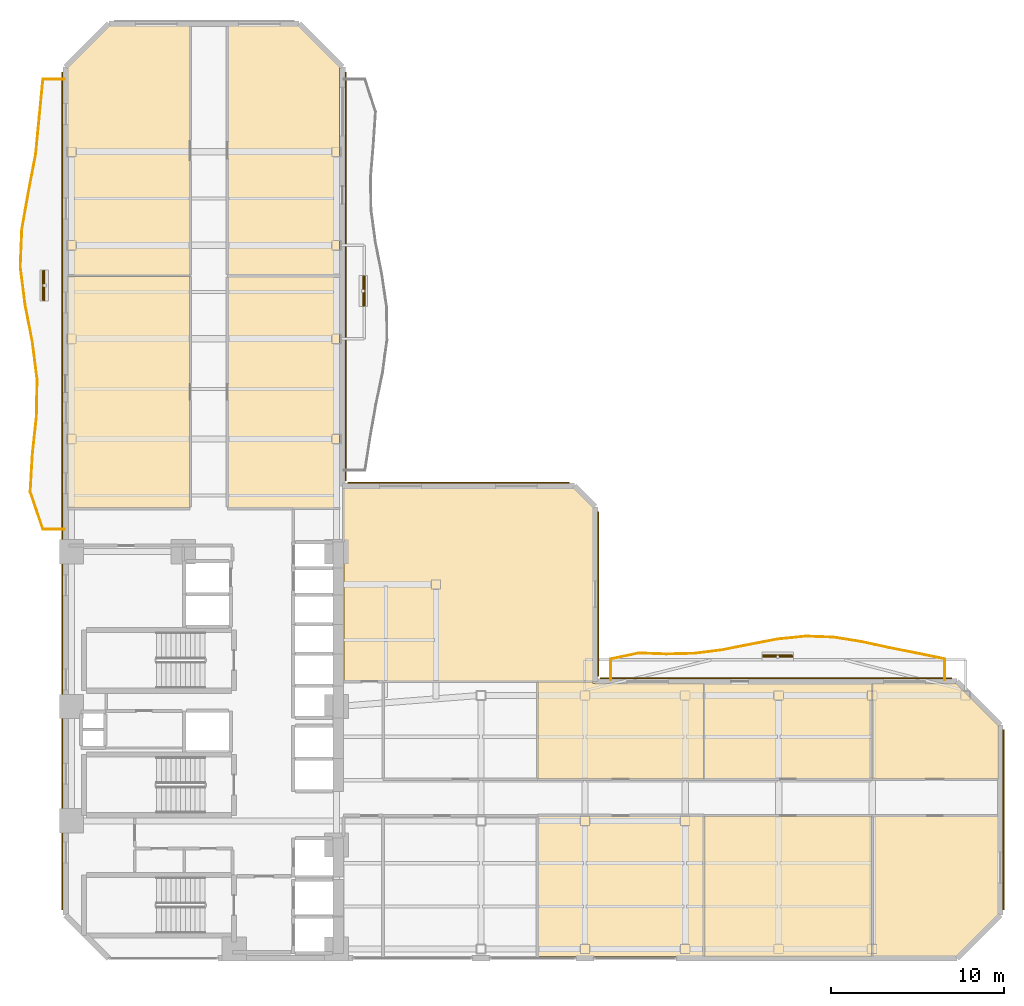
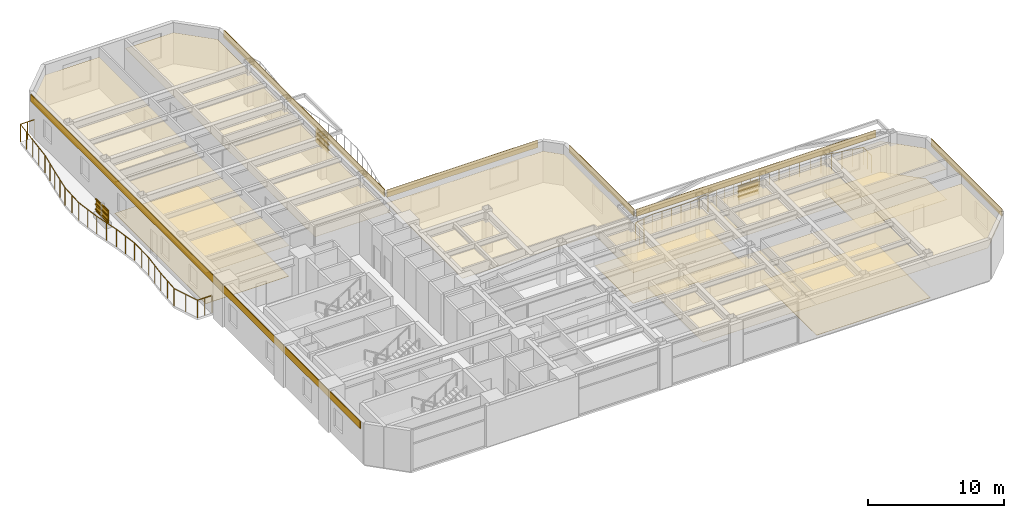
# One storey, part 15 of 16: 21 coverings, 12 shading devices, 2 railings.
"""IFC4 building model written with IfcOpenShell, lengths in metres."""

from ifc_helpers import new_model, si_unit, direction, frame, origin, origin_2d, place, context, subcontext, project, spatial, polyline, rectangle, outline, extrude, material, layer, layer_set, material_profile, profile_set, type_object, element, save


model = new_model("IFC4")

# Units and contexts
model_context = context("Model", 3, precision=1e-05, world=origin(), true_north=direction((0.0, 1.0)))
body_context = subcontext(model_context, "Body", "Model", "MODEL_VIEW")
ifc_project = project(units=[si_unit("LENGTHUNIT", "METRE"), si_unit("AREAUNIT", "SQUARE_METRE"), si_unit("VOLUMEUNIT", "CUBIC_METRE"), si_unit("PLANEANGLEUNIT", "RADIAN"), si_unit("MASSUNIT", "GRAM", prefix="KILO")], contexts=[model_context])

# Site, building, storey
site_placement = place(None, origin())
site = spatial("IfcSite", under=ifc_project, at=site_placement, CompositionType="ELEMENT")
building_placement = place(site_placement, origin())
building = spatial("IfcBuilding", under=site, at=building_placement, Name="Mawjaban Terraces University", CompositionType="ELEMENT")
storey_placement = place(building_placement, frame((0.0, 0.0, 54.39990234375)))
storey = spatial("IfcBuildingStorey", under=building, at=storey_placement, Name="L12", CompositionType="ELEMENT", Elevation=54.39990234375)

# Coverings
ifc_material_1 = material(Name="Acoustic mineral fibre ceiling tile", Category="masonry")
ifc_layer_1 = layer(ifc_material_1, 0.02001953125)
ifc_layer_set_1 = layer_set([ifc_layer_1], Name="Acoustic mineral fibre ceiling tile")
covering_type_1 = type_object("IfcCoveringType", Name="AcousticMineralCeiling_20", PredefinedType="CEILING", material=ifc_layer_set_1)
covering_1_placement = place(storey_placement, frame((0.0, 0.0, 2.75)))
element("IfcCovering", 1, at=covering_1_placement, inside=storey, type_object=covering_type_1, Name="L12 Media Workshop 4 Acoustic Ceiling", PredefinedType="CEILING", context=body_context, shape_type="SweptSolid", body=[
    extrude(outline(polyline([(49.29296875, 0.114990234375), (58.85791015625, 0.114990234375), (58.85791015625, 8.219970703125), (49.29296875, 8.219970703125), (49.29296875, 0.114990234375)])), origin(), (0.0, 0.0, 1.0), 0.02001953125),
])
covering_2_placement = place(storey_placement, frame((0.0, 0.0, 2.75)))
element("IfcCovering", 2, at=covering_2_placement, inside=storey, type_object=covering_type_1, Name="L12 Quiet Reading Room 5 Acoustic Ceiling", PredefinedType="CEILING", context=body_context, shape_type="SweptSolid", body=[
    extrude(outline(polyline([(58.85791015625, 15.885009765625), (52.485107421875, 15.885009765625), (52.485107421875, 15.969970703125), (49.29296875, 15.969970703125), (49.29296875, 10.3798828125), (58.85791015625, 10.3798828125), (58.85791015625, 15.885009765625)])), origin(), (0.0, 0.0, 1.0), 0.02001953125),
])
covering_3_placement = place(storey_placement, frame((0.0, 0.0, 2.75)))
element("IfcCovering", 3, at=covering_3_placement, inside=storey, type_object=covering_type_1, Name="L12 Reading Salon 6 Acoustic Ceiling", PredefinedType="CEILING", context=body_context, shape_type="SweptSolid", body=[
    extrude(outline(polyline([(58.91796875, 0.114990234375), (68.570068359375, 0.114990234375), (68.570068359375, 8.219970703125), (58.91796875, 8.219970703125), (58.91796875, 0.114990234375)])), origin(), (0.0, 0.0, 1.0), 0.02001953125),
])
covering_4_placement = place(storey_placement, frame((0.0, 0.0, 2.75)))
element("IfcCovering", 4, at=covering_4_placement, inside=storey, type_object=covering_type_1, Name="L12 Academic Counseling Room 7 Acoustic Ceiling", PredefinedType="CEILING", context=body_context, shape_type="SweptSolid", body=[
    extrude(outline(polyline([(68.570068359375, 15.885009765625), (58.91796875, 15.885009765625), (58.91796875, 10.3798828125), (68.570068359375, 10.3798828125), (68.570068359375, 15.885009765625)])), origin(), (0.0, 0.0, 1.0), 0.02001953125),
])
covering_5_placement = place(storey_placement, frame((0.0, 0.0, 2.75)))
element("IfcCovering", 5, at=covering_5_placement, inside=storey, type_object=covering_type_1, Name="L12 Academic Counseling Room 8 Acoustic Ceiling", PredefinedType="CEILING", context=body_context, shape_type="SweptSolid", body=[
    extrude(outline(polyline([(68.6298828125, 0.114990234375), (73.452880859375, 0.114990234375), (75.885009765625, 2.547119140625), (75.885009765625, 8.219970703125), (68.6298828125, 8.219970703125), (68.6298828125, 0.114990234375)])), origin(), (0.0, 0.0, 1.0), 0.02001953125),
])
covering_6_placement = place(storey_placement, frame((0.0, 0.0, 2.75)))
element("IfcCovering", 6, at=covering_6_placement, inside=storey, type_object=covering_type_1, Name="L12 Classroom 9 Acoustic Ceiling", PredefinedType="CEILING", context=body_context, shape_type="SweptSolid", body=[
    extrude(outline(polyline([(75.885009765625, 10.3798828125), (75.885009765625, 13.452880859375), (73.452880859375, 15.885009765625), (68.6298828125, 15.885009765625), (68.6298828125, 10.3798828125), (75.885009765625, 10.3798828125)])), origin(), (0.0, 0.0, 1.0), 0.02001953125),
])
covering_7_placement = place(storey_placement, frame((0.0, 0.0, 2.75)))
element("IfcCovering", 7, at=covering_7_placement, inside=storey, type_object=covering_type_1, Name="L12 Seminar Room 10 Acoustic Ceiling", PredefinedType="CEILING", context=body_context, shape_type="SweptSolid", body=[
    extrude(outline(polyline([(22.114990234375, 39.409912109375), (22.114990234375, 26.030029296875), (29.169921875, 26.030029296875), (29.169921875, 39.409912109375), (22.114990234375, 39.409912109375)])), origin(), (0.0, 0.0, 1.0), 0.02001953125),
])
covering_8_placement = place(storey_placement, frame((0.0, 0.0, 2.75)))
element("IfcCovering", 8, at=covering_8_placement, inside=storey, type_object=covering_type_1, Name="L12 Faculty Office 11 Acoustic Ceiling", PredefinedType="CEILING", context=body_context, shape_type="SweptSolid", body=[
    extrude(outline(polyline([(37.820068359375, 26.030029296875), (37.820068359375, 39.409912109375), (31.3798828125, 39.409912109375), (31.3798828125, 26.030029296875), (37.820068359375, 26.030029296875)])), origin(), (0.0, 0.0, 1.0), 0.02001953125),
])
covering_9_placement = place(storey_placement, frame((0.0, 0.0, 2.75)))
element("IfcCovering", 9, at=covering_9_placement, inside=storey, type_object=covering_type_1, Name="L12 Teaching Laboratory 12 Acoustic Ceiling", PredefinedType="CEILING", context=body_context, shape_type="SweptSolid", body=[
    extrude(outline(polyline([(29.169921875, 53.885009765625), (24.547119140625, 53.885009765625), (22.114990234375, 51.452880859375), (22.114990234375, 39.469970703125), (29.169921875, 39.469970703125), (29.169921875, 53.885009765625)])), origin(), (0.0, 0.0, 1.0), 0.02001953125),
])
covering_10_placement = place(storey_placement, frame((0.0, 0.0, 2.75)))
element("IfcCovering", 10, at=covering_10_placement, inside=storey, type_object=covering_type_1, Name="L12 Design Studio 13 Acoustic Ceiling", PredefinedType="CEILING", context=body_context, shape_type="SweptSolid", body=[
    extrude(outline(polyline([(37.820068359375, 51.51806640625), (35.452880859375, 53.885009765625), (31.3798828125, 53.885009765625), (31.3798828125, 39.469970703125), (37.820068359375, 39.469970703125), (37.820068359375, 51.51806640625)])), origin(), (0.0, 0.0, 1.0), 0.02001953125),
])
covering_11_placement = place(storey_placement, frame((0.0, 0.0, 2.75)))
element("IfcCovering", 11, at=covering_11_placement, inside=storey, type_object=covering_type_1, Name="L12 Terrace Collaborative Study Room Acoustic Ceiling", PredefinedType="CEILING", context=body_context, shape_type="SweptSolid", body=[
    extrude(outline(polyline([(52.485107421875, 16.030029296875), (52.485107421875, 26.048095703125), (51.35302734375, 27.179931640625), (38.080078125, 27.179931640625), (38.080078125, 16.030029296875), (52.485107421875, 16.030029296875)])), origin(), (0.0, 0.0, 1.0), 0.02001953125),
])

# Railings
ifc_material_2 = material(Name="Galvanised powder-coated steel S355", Category="steel")
railing_type = type_object("IfcRailingType", Name="BalconyBalustrade_1600", PredefinedType="BALUSTRADE", material=ifc_material_2)
railing_1_placement = place(storey_placement, frame((21.919921875, 24.800048828125, 0.0)))
element("IfcRailing", 12, at=railing_1_placement, inside=storey, type_object=railing_type, Name="L12 Balcony Guardrail west", PredefinedType="BALUSTRADE", context=body_context, shape_type="SweptSolid", body=[
    extrude(rectangle(XDim=0.048095703125, YDim=0.048095703125, at=origin_2d()), frame((0.0, 0.0, 1.576171875), z_axis=(-1.0, 0.0, 0.0), x_axis=(0.0, -1.0, 0.0)), (0.0, 0.0, 1.0), 1.219970703125),
    extrude(rectangle(XDim=0.048095703125, YDim=0.048095703125, at=origin_2d()), frame((-1.219970703125, 0.0, 1.576171875), z_axis=(-0.32076997758, 0.94715712608, 0.0), x_axis=(-0.94715712608, -0.32076997758, 0.0)), (0.0, 0.0, 1.0), 2.287841796875),
    extrude(rectangle(XDim=0.048095703125, YDim=0.048095703125, at=origin_2d()), frame((-1.953857421875, 2.1669921875, 1.576171875), z_axis=(0.057165158423, 0.998364735286, 0.0), x_axis=(-0.998364735286, 0.057165158423, 0.0)), (0.0, 0.0, 1.0), 2.169677734375),
    extrude(rectangle(XDim=0.048095703125, YDim=0.048095703125, at=origin_2d()), frame((-1.829833984375, 4.3330078125, 1.576171875), z_axis=(0.107751142086, 0.994177897249, 0.0), x_axis=(-0.994177897249, 0.107751142086, 0.0)), (0.0, 0.0, 1.0), 2.1796875),
    extrude(rectangle(XDim=0.048095703125, YDim=0.048095703125, at=origin_2d()), frame((-1.594970703125, 6.5, 1.576171875), z_axis=(0.017572770568, 0.999845586946, 0.0), x_axis=(-0.999845586946, 0.017572770568, 0.0)), (0.0, 0.0, 1.0), 2.167236328125),
    extrude(rectangle(XDim=0.048095703125, YDim=0.048095703125, at=origin_2d()), frame((-1.556884765625, 8.6669921875, 1.576171875), z_axis=(-0.126016204068, 0.992028183225, 0.0), x_axis=(-0.992028183225, -0.126016204068, 0.0)), (0.0, 0.0, 1.0), 2.183349609375),
    extrude(rectangle(XDim=0.048095703125, YDim=0.048095703125, at=origin_2d()), frame((-1.83203125, 10.8330078125, 1.576171875), z_axis=(-0.192372709266, 0.981321935315, 0.0), x_axis=(-0.981321935315, -0.192372709266, 0.0)), (0.0, 0.0, 1.0), 2.208251953125),
    extrude(rectangle(XDim=0.048095703125, YDim=0.048095703125, at=origin_2d()), frame((-2.2568359375, 13.0, 1.576171875), z_axis=(-0.123649449448, 0.992325961391, 0.0), x_axis=(-0.992325961391, -0.123649449448, 0.0)), (0.0, 0.0, 1.0), 2.183837890625),
    extrude(rectangle(XDim=0.048095703125, YDim=0.048095703125, at=origin_2d()), frame((-2.52685546875, 15.1669921875, 1.576171875), z_axis=(0.040543732568, 0.999177764839, 0.0), x_axis=(-0.999177764839, 0.040543732568, 0.0)), (0.0, 0.0, 1.0), 2.167724609375),
    extrude(rectangle(XDim=0.048095703125, YDim=0.048095703125, at=origin_2d()), frame((-2.43896484375, 17.3330078125, 1.576171875), z_axis=(0.174500407925, 0.984657101551, 0.0), x_axis=(-0.984657101551, 0.174500407925, 0.0)), (0.0, 0.0, 1.0), 2.20068359375),
    extrude(rectangle(XDim=0.048095703125, YDim=0.048095703125, at=origin_2d()), frame((-2.054931640625, 19.5, 1.576171875), z_axis=(0.188108607076, 0.982148233183, 0.0), x_axis=(-0.982148233183, 0.188108607076, 0.0)), (0.0, 0.0, 1.0), 2.206298828125),
    extrude(rectangle(XDim=0.048095703125, YDim=0.048095703125, at=origin_2d()), frame((-1.639892578125, 21.6669921875, 1.576171875), z_axis=(0.096037346488, 0.995377731356, 0.0), x_axis=(-0.995377731356, 0.096037346488, 0.0)), (0.0, 0.0, 1.0), 2.176025390625),
    extrude(rectangle(XDim=0.048095703125, YDim=0.048095703125, at=origin_2d()), frame((-1.430908203125, 23.8330078125, 1.576171875), z_axis=(0.096883228076, 0.995295755099, 0.0), x_axis=(-0.995295755099, 0.096883228076, 0.0)), (0.0, 0.0, 1.0), 2.17724609375),
    extrude(rectangle(XDim=0.048095703125, YDim=0.048095703125, at=origin_2d()), frame((-1.219970703125, 26.0, 1.576171875), z_axis=(1.0, 0.0, 0.0), x_axis=(0.0, 1.0, 0.0)), (0.0, 0.0, 1.0), 1.219970703125),
    extrude(rectangle(XDim=0.0419921875, YDim=0.0419921875, at=origin_2d()), origin(), (0.0, 0.0, 1.0), 1.552001953125),
    extrude(rectangle(XDim=0.0419921875, YDim=0.0419921875, at=origin_2d()), frame((-0.60986328125, 0.0, 0.0)), (0.0, 0.0, 1.0), 1.552001953125),
    extrude(rectangle(XDim=0.0419921875, YDim=0.0419921875, at=origin_2d()), frame((-1.219970703125, 0.0, 0.0)), (0.0, 0.0, 1.0), 1.552001953125),
    extrude(rectangle(XDim=0.0419921875, YDim=0.0419921875, at=origin_2d()), frame((-1.5869140625, 1.08349609375, 0.0)), (0.0, 0.0, 1.0), 1.552001953125),
    extrude(rectangle(XDim=0.0419921875, YDim=0.0419921875, at=origin_2d()), frame((-1.953857421875, 2.1669921875, 0.0)), (0.0, 0.0, 1.0), 1.552001953125),
    extrude(rectangle(XDim=0.0419921875, YDim=0.0419921875, at=origin_2d()), frame((-1.891845703125, 3.25, 0.0)), (0.0, 0.0, 1.0), 1.552001953125),
    extrude(rectangle(XDim=0.0419921875, YDim=0.0419921875, at=origin_2d()), frame((-1.829833984375, 4.3330078125, 0.0)), (0.0, 0.0, 1.0), 1.552001953125),
    extrude(rectangle(XDim=0.0419921875, YDim=0.0419921875, at=origin_2d()), frame((-1.71240234375, 5.41650390625, 0.0)), (0.0, 0.0, 1.0), 1.552001953125),
    extrude(rectangle(XDim=0.0419921875, YDim=0.0419921875, at=origin_2d()), frame((-1.594970703125, 6.5, 0.0)), (0.0, 0.0, 1.0), 1.552001953125),
    extrude(rectangle(XDim=0.0419921875, YDim=0.0419921875, at=origin_2d()), frame((-1.575927734375, 7.58349609375, 0.0)), (0.0, 0.0, 1.0), 1.552001953125),
    extrude(rectangle(XDim=0.0419921875, YDim=0.0419921875, at=origin_2d()), frame((-1.556884765625, 8.6669921875, 0.0)), (0.0, 0.0, 1.0), 1.552001953125),
    extrude(rectangle(XDim=0.0419921875, YDim=0.0419921875, at=origin_2d()), frame((-1.6943359375, 9.75, 0.0)), (0.0, 0.0, 1.0), 1.552001953125),
    extrude(rectangle(XDim=0.0419921875, YDim=0.0419921875, at=origin_2d()), frame((-1.83203125, 10.8330078125, 0.0)), (0.0, 0.0, 1.0), 1.552001953125),
    extrude(rectangle(XDim=0.0419921875, YDim=0.0419921875, at=origin_2d()), frame((-2.04443359375, 11.91650390625, 0.0)), (0.0, 0.0, 1.0), 1.552001953125),
    extrude(rectangle(XDim=0.0419921875, YDim=0.0419921875, at=origin_2d()), frame((-2.2568359375, 13.0, 0.0)), (0.0, 0.0, 1.0), 1.552001953125),
    extrude(rectangle(XDim=0.0419921875, YDim=0.0419921875, at=origin_2d()), frame((-2.391845703125, 14.08349609375, 0.0)), (0.0, 0.0, 1.0), 1.552001953125),
    extrude(rectangle(XDim=0.0419921875, YDim=0.0419921875, at=origin_2d()), frame((-2.52685546875, 15.1669921875, 0.0)), (0.0, 0.0, 1.0), 1.552001953125),
    extrude(rectangle(XDim=0.0419921875, YDim=0.0419921875, at=origin_2d()), frame((-2.48291015625, 16.25, 0.0)), (0.0, 0.0, 1.0), 1.552001953125),
    extrude(rectangle(XDim=0.0419921875, YDim=0.0419921875, at=origin_2d()), frame((-2.43896484375, 17.3330078125, 0.0)), (0.0, 0.0, 1.0), 1.552001953125),
    extrude(rectangle(XDim=0.0419921875, YDim=0.0419921875, at=origin_2d()), frame((-2.2470703125, 18.41650390625, 0.0)), (0.0, 0.0, 1.0), 1.552001953125),
    extrude(rectangle(XDim=0.0419921875, YDim=0.0419921875, at=origin_2d()), frame((-2.054931640625, 19.5, 0.0)), (0.0, 0.0, 1.0), 1.552001953125),
    extrude(rectangle(XDim=0.0419921875, YDim=0.0419921875, at=origin_2d()), frame((-1.847412109375, 20.58349609375, 0.0)), (0.0, 0.0, 1.0), 1.552001953125),
    extrude(rectangle(XDim=0.0419921875, YDim=0.0419921875, at=origin_2d()), frame((-1.639892578125, 21.6669921875, 0.0)), (0.0, 0.0, 1.0), 1.552001953125),
    extrude(rectangle(XDim=0.0419921875, YDim=0.0419921875, at=origin_2d()), frame((-1.535400390625, 22.75, 0.0)), (0.0, 0.0, 1.0), 1.552001953125),
    extrude(rectangle(XDim=0.0419921875, YDim=0.0419921875, at=origin_2d()), frame((-1.430908203125, 23.8330078125, 0.0)), (0.0, 0.0, 1.0), 1.552001953125),
    extrude(rectangle(XDim=0.0419921875, YDim=0.0419921875, at=origin_2d()), frame((-1.325439453125, 24.91650390625, 0.0)), (0.0, 0.0, 1.0), 1.552001953125),
    extrude(rectangle(XDim=0.0419921875, YDim=0.0419921875, at=origin_2d()), frame((-1.219970703125, 26.0, 0.0)), (0.0, 0.0, 1.0), 1.552001953125),
    extrude(rectangle(XDim=0.0419921875, YDim=0.0419921875, at=origin_2d()), frame((-0.60986328125, 26.0, 0.0)), (0.0, 0.0, 1.0), 1.552001953125),
    extrude(rectangle(XDim=0.0419921875, YDim=0.0419921875, at=origin_2d()), frame((0.0, 26.0, 0.0)), (0.0, 0.0, 1.0), 1.552001953125),
])
railing_2_placement = place(storey_placement, frame((53.5, 16.080078125, 0.0)))
element("IfcRailing", 13, at=railing_2_placement, inside=storey, type_object=railing_type, Name="L12 Balcony Guardrail inner_north", PredefinedType="BALUSTRADE", context=body_context, shape_type="SweptSolid", body=[
    extrude(rectangle(XDim=0.048095703125, YDim=0.048095703125, at=origin_2d()), frame((0.0, 0.0, 1.576171875), z_axis=(0.0, 1.0, 0.0), x_axis=(-1.0, 0.0, 0.0)), (0.0, 0.0, 1.0), 1.219970703125),
    extrude(rectangle(XDim=0.048095703125, YDim=0.048095703125, at=origin_2d()), frame((0.0, 1.219970703125, 1.576171875), z_axis=(0.978505623955, 0.206220134535, 0.0), x_axis=(-0.206220134535, 0.978505623955, 0.0)), (0.0, 0.0, 1.0), 1.643310546875),
    extrude(rectangle(XDim=0.048095703125, YDim=0.048095703125, at=origin_2d()), frame((1.60791015625, 1.558837890625, 1.576171875), z_axis=(0.999396961052, -0.034723396159, 0.0), x_axis=(0.034723396159, 0.999396961052, 0.0)), (0.0, 0.0, 1.0), 1.610107421875),
    extrude(rectangle(XDim=0.048095703125, YDim=0.048095703125, at=origin_2d()), frame((3.217041015625, 1.5029296875, 1.576171875), z_axis=(0.99970503239, 0.024286790948, 0.0), x_axis=(-0.024286790948, 0.99970503239, 0.0)), (0.0, 0.0, 1.0), 1.6083984375),
    extrude(rectangle(XDim=0.048095703125, YDim=0.048095703125, at=origin_2d()), frame((4.824951171875, 1.5419921875, 1.576171875), z_axis=(0.992210526181, 0.12457235542, 0.0), x_axis=(-0.12457235542, 0.992210526181, 0.0)), (0.0, 0.0, 1.0), 1.620849609375),
    extrude(rectangle(XDim=0.048095703125, YDim=0.048095703125, at=origin_2d()), frame((6.43310546875, 1.743896484375, 1.576171875), z_axis=(0.981007737848, 0.193968601277, 0.0), x_axis=(-0.193968601277, 0.981007737848, 0.0)), (0.0, 0.0, 1.0), 1.64013671875),
    extrude(rectangle(XDim=0.048095703125, YDim=0.048095703125, at=origin_2d()), frame((8.0419921875, 2.06201171875, 1.576171875), z_axis=(0.982269311628, 0.187475330203, 0.0), x_axis=(-0.187475330203, 0.982269311628, 0.0)), (0.0, 0.0, 1.0), 1.636962890625),
    extrude(rectangle(XDim=0.048095703125, YDim=0.048095703125, at=origin_2d()), frame((9.64990234375, 2.368896484375, 1.576171875), z_axis=(0.994836321222, 0.101492334577, 0.0), x_axis=(-0.101492334577, 0.994836321222, 0.0)), (0.0, 0.0, 1.0), 1.616455078125),
    extrude(rectangle(XDim=0.048095703125, YDim=0.048095703125, at=origin_2d()), frame((11.258056640625, 2.532958984375, 1.576171875), z_axis=(0.999370174204, -0.035485981906, 0.0), x_axis=(0.035485981906, 0.999370174204, 0.0)), (0.0, 0.0, 1.0), 1.60986328125),
    extrude(rectangle(XDim=0.048095703125, YDim=0.048095703125, at=origin_2d()), frame((12.866943359375, 2.475830078125, 1.576171875), z_axis=(0.98757872014, -0.15712501878, 0.0), x_axis=(0.15712501878, 0.98757872014, 0.0)), (0.0, 0.0, 1.0), 1.62841796875),
    extrude(rectangle(XDim=0.048095703125, YDim=0.048095703125, at=origin_2d()), frame((14.47509765625, 2.219970703125, 1.576171875), z_axis=(0.976983169903, -0.213316398166, 0.0), x_axis=(0.213316398166, 0.976983169903, 0.0)), (0.0, 0.0, 1.0), 1.645751953125),
    extrude(rectangle(XDim=0.048095703125, YDim=0.048095703125, at=origin_2d()), frame((16.0830078125, 1.868896484375, 1.576171875), z_axis=(0.981036054572, -0.193825332785, 0.0), x_axis=(0.193825332785, 0.981036054572, 0.0)), (0.0, 0.0, 1.0), 1.639892578125),
    extrude(rectangle(XDim=0.048095703125, YDim=0.048095703125, at=origin_2d()), frame((17.69189453125, 1.551025390625, 1.576171875), z_axis=(0.979461362007, -0.201631942748, 0.0), x_axis=(0.201631942748, 0.979461362007, 0.0)), (0.0, 0.0, 1.0), 1.641845703125),
    extrude(rectangle(XDim=0.048095703125, YDim=0.048095703125, at=origin_2d()), frame((19.300048828125, 1.219970703125, 1.576171875), z_axis=(0.0, -1.0, 0.0), x_axis=(1.0, 0.0, 0.0)), (0.0, 0.0, 1.0), 1.219970703125),
    extrude(rectangle(XDim=0.0419921875, YDim=0.0419921875, at=origin_2d()), origin(), (0.0, 0.0, 1.0), 1.552001953125),
    extrude(rectangle(XDim=0.0419921875, YDim=0.0419921875, at=origin_2d()), frame((0.0, 0.60986328125, 0.0)), (0.0, 0.0, 1.0), 1.552001953125),
    extrude(rectangle(XDim=0.0419921875, YDim=0.0419921875, at=origin_2d()), frame((0.0, 1.219970703125, 0.0)), (0.0, 0.0, 1.0), 1.552001953125),
    extrude(rectangle(XDim=0.0419921875, YDim=0.0419921875, at=origin_2d()), frame((0.803955078125, 1.389404296875, 0.0)), (0.0, 0.0, 1.0), 1.552001953125),
    extrude(rectangle(XDim=0.0419921875, YDim=0.0419921875, at=origin_2d()), frame((1.60791015625, 1.558837890625, 0.0)), (0.0, 0.0, 1.0), 1.552001953125),
    extrude(rectangle(XDim=0.0419921875, YDim=0.0419921875, at=origin_2d()), frame((2.41259765625, 1.53076171875, 0.0)), (0.0, 0.0, 1.0), 1.552001953125),
    extrude(rectangle(XDim=0.0419921875, YDim=0.0419921875, at=origin_2d()), frame((3.217041015625, 1.5029296875, 0.0)), (0.0, 0.0, 1.0), 1.552001953125),
    extrude(rectangle(XDim=0.0419921875, YDim=0.0419921875, at=origin_2d()), frame((4.02099609375, 1.5224609375, 0.0)), (0.0, 0.0, 1.0), 1.552001953125),
    extrude(rectangle(XDim=0.0419921875, YDim=0.0419921875, at=origin_2d()), frame((4.824951171875, 1.5419921875, 0.0)), (0.0, 0.0, 1.0), 1.552001953125),
    extrude(rectangle(XDim=0.0419921875, YDim=0.0419921875, at=origin_2d()), frame((5.62890625, 1.64306640625, 0.0)), (0.0, 0.0, 1.0), 1.552001953125),
    extrude(rectangle(XDim=0.0419921875, YDim=0.0419921875, at=origin_2d()), frame((6.43310546875, 1.743896484375, 0.0)), (0.0, 0.0, 1.0), 1.552001953125),
    extrude(rectangle(XDim=0.0419921875, YDim=0.0419921875, at=origin_2d()), frame((7.237548828125, 1.90283203125, 0.0)), (0.0, 0.0, 1.0), 1.552001953125),
    extrude(rectangle(XDim=0.0419921875, YDim=0.0419921875, at=origin_2d()), frame((8.0419921875, 2.06201171875, 0.0)), (0.0, 0.0, 1.0), 1.552001953125),
    extrude(rectangle(XDim=0.0419921875, YDim=0.0419921875, at=origin_2d()), frame((8.845947265625, 2.21533203125, 0.0)), (0.0, 0.0, 1.0), 1.552001953125),
    extrude(rectangle(XDim=0.0419921875, YDim=0.0419921875, at=origin_2d()), frame((9.64990234375, 2.368896484375, 0.0)), (0.0, 0.0, 1.0), 1.552001953125),
    extrude(rectangle(XDim=0.0419921875, YDim=0.0419921875, at=origin_2d()), frame((10.4541015625, 2.450927734375, 0.0)), (0.0, 0.0, 1.0), 1.552001953125),
    extrude(rectangle(XDim=0.0419921875, YDim=0.0419921875, at=origin_2d()), frame((11.258056640625, 2.532958984375, 0.0)), (0.0, 0.0, 1.0), 1.552001953125),
    extrude(rectangle(XDim=0.0419921875, YDim=0.0419921875, at=origin_2d()), frame((12.0625, 2.50439453125, 0.0)), (0.0, 0.0, 1.0), 1.552001953125),
    extrude(rectangle(XDim=0.0419921875, YDim=0.0419921875, at=origin_2d()), frame((12.866943359375, 2.475830078125, 0.0)), (0.0, 0.0, 1.0), 1.552001953125),
    extrude(rectangle(XDim=0.0419921875, YDim=0.0419921875, at=origin_2d()), frame((13.6708984375, 2.347900390625, 0.0)), (0.0, 0.0, 1.0), 1.552001953125),
    extrude(rectangle(XDim=0.0419921875, YDim=0.0419921875, at=origin_2d()), frame((14.47509765625, 2.219970703125, 0.0)), (0.0, 0.0, 1.0), 1.552001953125),
    extrude(rectangle(XDim=0.0419921875, YDim=0.0419921875, at=origin_2d()), frame((15.279052734375, 2.04443359375, 0.0)), (0.0, 0.0, 1.0), 1.552001953125),
    extrude(rectangle(XDim=0.0419921875, YDim=0.0419921875, at=origin_2d()), frame((16.0830078125, 1.868896484375, 0.0)), (0.0, 0.0, 1.0), 1.552001953125),
    extrude(rectangle(XDim=0.0419921875, YDim=0.0419921875, at=origin_2d()), frame((16.887451171875, 1.7099609375, 0.0)), (0.0, 0.0, 1.0), 1.552001953125),
    extrude(rectangle(XDim=0.0419921875, YDim=0.0419921875, at=origin_2d()), frame((17.69189453125, 1.551025390625, 0.0)), (0.0, 0.0, 1.0), 1.552001953125),
    extrude(rectangle(XDim=0.0419921875, YDim=0.0419921875, at=origin_2d()), frame((18.49609375, 1.385498046875, 0.0)), (0.0, 0.0, 1.0), 1.552001953125),
    extrude(rectangle(XDim=0.0419921875, YDim=0.0419921875, at=origin_2d()), frame((19.300048828125, 1.219970703125, 0.0)), (0.0, 0.0, 1.0), 1.552001953125),
    extrude(rectangle(XDim=0.0419921875, YDim=0.0419921875, at=origin_2d()), frame((19.300048828125, 0.60986328125, 0.0)), (0.0, 0.0, 1.0), 1.552001953125),
    extrude(rectangle(XDim=0.0419921875, YDim=0.0419921875, at=origin_2d()), frame((19.300048828125, 0.0, 0.0)), (0.0, 0.0, 1.0), 1.552001953125),
])

# Shading devices
ifc_material_3 = material(Name="Glazed architectural terracotta ceramic", Category="masonry")
ifc_material_profile = material_profile(ifc_material_3, rectangle(XDim=0.06494140625, YDim=0.110107421875, at=origin_2d()), Name="TBAG110X65")
ifc_profile_set = profile_set([ifc_material_profile], Name="Glazed architectural terracotta ceramic")
shading_device_type_1 = type_object("IfcShadingDeviceType", Name="TerracottaBaguette_110x65", PredefinedType="USERDEFINED", material=ifc_profile_set)
for number, where, z_axis, x_axis, name in (
    (14, (20.68408203125, 38.032958984375, 0.68017578125), (0.0, 1.0, 0.0), (-1.0, 0.0, 0.0), "L12 Horizontal Terracotta Baguette west.1"),
    (15, (20.68408203125, 38.032958984375, 1.150146484375), (0.0, 1.0, 0.0), (-1.0, 0.0, 0.0), "L12 Horizontal Terracotta Baguette west.2"),
    (16, (20.68408203125, 38.032958984375, 1.6201171875), (0.0, 1.0, 0.0), (-1.0, 0.0, 0.0), "L12 Horizontal Terracotta Baguette west.3"),
    (17, (62.2919921875, 17.52587890625, 0.68017578125), (1.0, 0.0, 0.0), (0.0, 1.0, 0.0), "L12 Horizontal Terracotta Baguette inner_north.1"),
    (18, (62.2919921875, 17.52587890625, 1.150146484375), (1.0, 0.0, 0.0), (0.0, 1.0, 0.0), "L12 Horizontal Terracotta Baguette inner_north.2"),
    (19, (62.2919921875, 17.52587890625, 1.6201171875), (1.0, 0.0, 0.0), (0.0, 1.0, 0.0), "L12 Horizontal Terracotta Baguette inner_north.3"),
    (20, (39.2900390625, 37.7060546875, 0.68017578125), (0.0, 1.0, 0.0), (-1.0, 0.0, 0.0), "L12 Horizontal Terracotta Baguette inner_east.1"),
    (21, (39.2900390625, 37.7060546875, 1.150146484375), (0.0, 1.0, 0.0), (-1.0, 0.0, 0.0), "L12 Horizontal Terracotta Baguette inner_east.2"),
    (22, (39.2900390625, 37.7060546875, 1.6201171875), (0.0, 1.0, 0.0), (-1.0, 0.0, 0.0), "L12 Horizontal Terracotta Baguette inner_east.3"),
):
    element("IfcShadingDevice", number, at=place(storey_placement, frame(where, z_axis=z_axis, x_axis=x_axis)), inside=storey, type_object=shading_device_type_1, Name=name, ObjectType="BAGUETTE", PredefinedType="USERDEFINED", context=body_context, shape_type="SweptSolid", body=[
        extrude(rectangle(XDim=0.06494140625, YDim=0.110107421875, at=origin_2d()), origin(), (0.0, 0.0, 1.0), 1.699951171875),
    ])
ifc_layer_2 = layer(ifc_material_3, 0.080078125)
ifc_layer_set_2 = layer_set([ifc_layer_2], Name="Glazed architectural terracotta ceramic")
shading_device_type_2 = type_object("IfcShadingDeviceType", Name="TerracottaScreen_Perforated", PredefinedType="USERDEFINED", material=ifc_layer_set_2)
for number, where, z_axis, x_axis, name in (
    (23, (20.76904296875, 38.883056640625, 0.440185546875), (0.0, 0.0, 1.0), (0.0, 1.0, 0.0), "L12 Balcony Perforated Terracotta Screen west"),
    (24, (63.14208984375, 17.44091796875, 0.440185546875), (0.0, 0.0, 1.0), (1.0, 0.0, 0.0), "L12 Balcony Perforated Terracotta Screen inner_north"),
    (25, (39.205078125, 38.555908203125, 0.440185546875), (0.0, 0.0, 1.0), (0.0, 1.0, 0.0), "L12 Balcony Perforated Terracotta Screen inner_east"),
):
    element("IfcShadingDevice", number, at=place(storey_placement, frame(where, z_axis=z_axis, x_axis=x_axis)), inside=storey, type_object=shading_device_type_2, Name=name, ObjectType="SCREEN", PredefinedType="USERDEFINED", context=body_context, shape_type="SweptSolid", body=[
        extrude(rectangle(XDim=1.75, YDim=0.080078125, at=origin_2d()), origin(), (0.0, 0.0, 1.0), 1.14990234375),
    ])

# Coverings
ifc_material_4 = material(Name="Glazed architectural terracotta rainscreen", Category="masonry")
ifc_layer_3 = layer(ifc_material_4, 0.06005859375)
ifc_layer_set_3 = layer_set([ifc_layer_3], Name="Glazed architectural terracotta rainscreen")
covering_type_2 = type_object("IfcCoveringType", Name="TerracottaSpandrelCladding_60", PredefinedType="CLADDING", material=ifc_layer_set_3)
covering_12_placement = place(storey_placement, frame((76.18505859375, 8.0, 3.01513671875), z_axis=(0.0, 0.0, 1.0), x_axis=(0.0, 1.0, 0.0)))
element("IfcCovering", 26, at=covering_12_placement, inside=storey, type_object=covering_type_2, Name="L12 Terracotta Spandrel Cladding 3", PredefinedType="CLADDING", context=body_context, shape_type="SweptSolid", body=[
    extrude(rectangle(XDim=10.39990234375, YDim=0.06005859375, at=origin_2d()), origin(), (0.0, 0.0, 1.0), 0.64990234375),
])
covering_13_placement = place(storey_placement, frame((63.050048828125, 16.18505859375, 3.01513671875), z_axis=(0.0, 0.0, 1.0), x_axis=(-1.0, 0.0, 0.0)))
element("IfcCovering", 27, at=covering_13_placement, inside=storey, type_object=covering_type_2, Name="L12 Terracotta Spandrel Cladding 5", PredefinedType="CLADDING", context=body_context, shape_type="SweptSolid", body=[
    extrude(rectangle(XDim=20.300048828125, YDim=0.06005859375, at=origin_2d()), origin(), (0.0, 0.0, 1.0), 0.64990234375),
])
covering_14_placement = place(storey_placement, frame((52.784912109375, 21.047119140625, 3.01513671875), z_axis=(0.0, 0.0, 1.0), x_axis=(0.0, 1.0, 0.0)))
element("IfcCovering", 28, at=covering_14_placement, inside=storey, type_object=covering_type_2, Name="L12 Terracotta Spandrel Cladding 6", PredefinedType="CLADDING", context=body_context, shape_type="SweptSolid", body=[
    extrude(rectangle(XDim=9.4951171875, YDim=0.06005859375, at=origin_2d()), origin(), (0.0, 0.0, 1.0), 0.64990234375),
])
covering_15_placement = place(storey_placement, frame((44.699951171875, 27.47998046875, 3.01513671875), z_axis=(0.0, 0.0, 1.0), x_axis=(-1.0, 0.0, 0.0)))
element("IfcCovering", 29, at=covering_15_placement, inside=storey, type_object=covering_type_2, Name="L12 Terracotta Spandrel Cladding 8", PredefinedType="CLADDING", context=body_context, shape_type="SweptSolid", body=[
    extrude(rectangle(XDim=12.800048828125, YDim=0.06005859375, at=origin_2d()), origin(), (0.0, 0.0, 1.0), 0.64990234375),
])
covering_16_placement = place(storey_placement, frame((38.18505859375, 39.39794921875, 3.01513671875), z_axis=(0.0, 0.0, 1.0), x_axis=(0.0, 1.0, 0.0)))
element("IfcCovering", 30, at=covering_16_placement, inside=storey, type_object=covering_type_2, Name="L12 Terracotta Spandrel Cladding 9", PredefinedType="CLADDING", context=body_context, shape_type="SweptSolid", body=[
    extrude(rectangle(XDim=23.60498046875, YDim=0.06005859375, at=origin_2d()), origin(), (0.0, 0.0, 1.0), 0.64990234375),
])
covering_17_placement = place(storey_placement, frame((21.81494140625, 27.0, 3.01513671875), z_axis=(0.0, 0.0, 1.0), x_axis=(0.0, -1.0, 0.0)))
element("IfcCovering", 31, at=covering_17_placement, inside=storey, type_object=covering_type_2, Name="L12 Terracotta Spandrel Cladding 13", PredefinedType="CLADDING", context=body_context, shape_type="SweptSolid", body=[
    extrude(rectangle(XDim=48.39990234375, YDim=0.06005859375, at=origin_2d()), origin(), (0.0, 0.0, 1.0), 0.64990234375),
])
ifc_material_5 = material(Name="Polished Hijazi granite terrazzo flooring", Category="masonry")
ifc_layer_4 = layer(ifc_material_5, 0.02490234375)
ifc_layer_set_4 = layer_set([ifc_layer_4], Name="Polished Hijazi granite terrazzo flooring")
covering_type_3 = type_object("IfcCoveringType", Name="TerrazzoConcourseFlooring_25", PredefinedType="FLOORING", material=ifc_layer_set_4)
covering_18_placement = place(storey_placement, origin())
element("IfcCovering", 32, at=covering_18_placement, inside=storey, type_object=covering_type_3, Name="L12 Quiet Reading Room 5 Terrazzo Flooring", PredefinedType="FLOORING", context=body_context, shape_type="SweptSolid", body=[
    extrude(outline(polyline([(58.85791015625, 15.885009765625), (52.485107421875, 15.885009765625), (52.485107421875, 15.969970703125), (49.29296875, 15.969970703125), (49.29296875, 10.3798828125), (58.85791015625, 10.3798828125), (58.85791015625, 15.885009765625)])), origin(), (0.0, 0.0, 1.0), 0.025146484375),
])
covering_19_placement = place(storey_placement, origin())
element("IfcCovering", 33, at=covering_19_placement, inside=storey, type_object=covering_type_3, Name="L12 Reading Salon 6 Terrazzo Flooring", PredefinedType="FLOORING", context=body_context, shape_type="SweptSolid", body=[
    extrude(outline(polyline([(58.91796875, 0.114990234375), (68.570068359375, 0.114990234375), (68.570068359375, 8.219970703125), (58.91796875, 8.219970703125), (58.91796875, 0.114990234375)])), origin(), (0.0, 0.0, 1.0), 0.025146484375),
])
covering_20_placement = place(storey_placement, origin())
element("IfcCovering", 34, at=covering_20_placement, inside=storey, type_object=covering_type_3, Name="L12 Classroom 9 Terrazzo Flooring", PredefinedType="FLOORING", context=body_context, shape_type="SweptSolid", body=[
    extrude(outline(polyline([(75.885009765625, 10.3798828125), (75.885009765625, 13.452880859375), (73.452880859375, 15.885009765625), (68.6298828125, 15.885009765625), (68.6298828125, 10.3798828125), (75.885009765625, 10.3798828125)])), origin(), (0.0, 0.0, 1.0), 0.025146484375),
])
covering_21_placement = place(storey_placement, origin())
element("IfcCovering", 35, at=covering_21_placement, inside=storey, type_object=covering_type_3, Name="L12 Seminar Room 10 Terrazzo Flooring", PredefinedType="FLOORING", context=body_context, shape_type="SweptSolid", body=[
    extrude(outline(polyline([(22.114990234375, 39.409912109375), (22.114990234375, 26.030029296875), (29.169921875, 26.030029296875), (29.169921875, 39.409912109375), (22.114990234375, 39.409912109375)])), origin(), (0.0, 0.0, 1.0), 0.025146484375),
])

save(model, "model.ifc")
